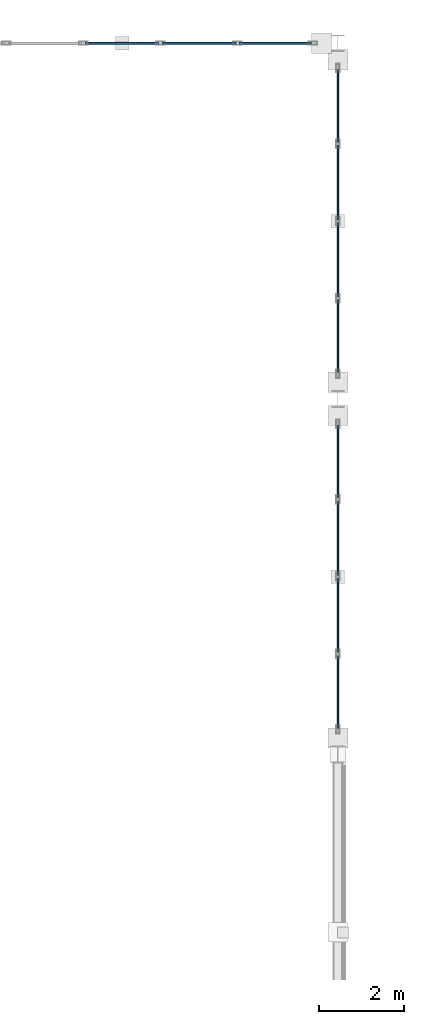
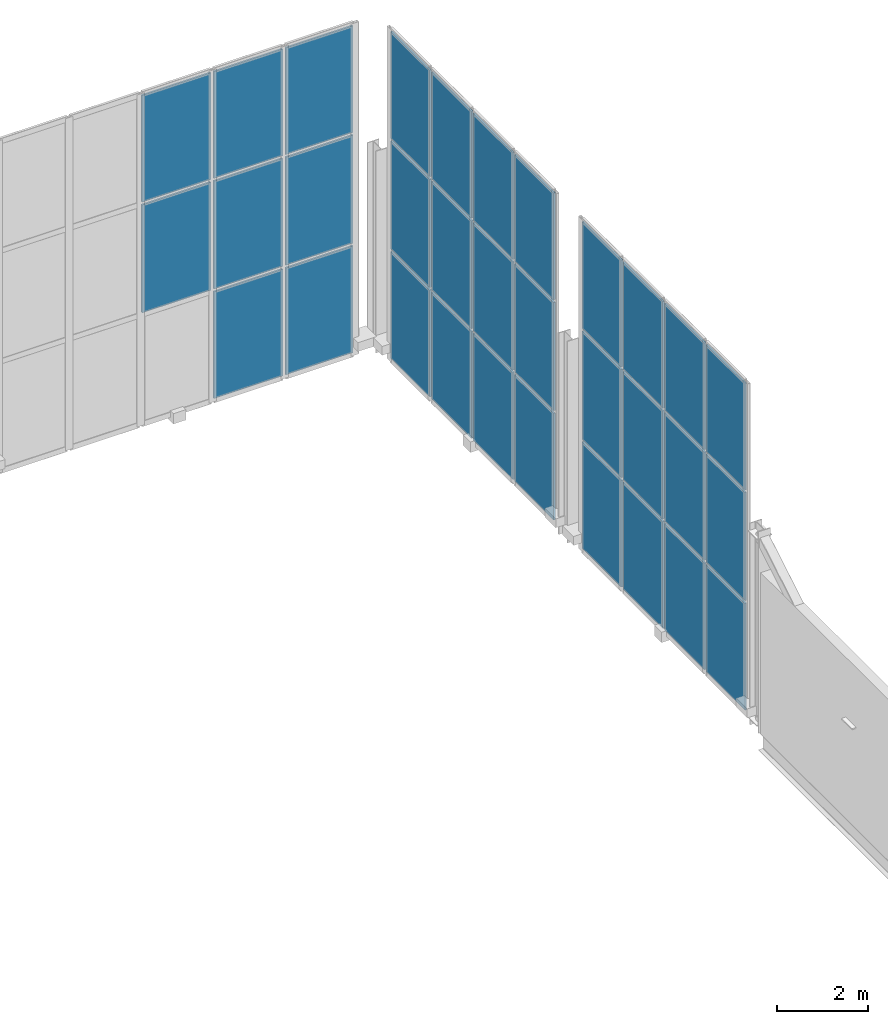
# One storey, part 123 of 175: 32 plates, 3 elements without a shape of their own.
"""IFC4 building model written with IfcOpenShell, lengths in metres."""

from ifc_helpers import new_model, si_unit, direction, frame, origin, origin_2d, place, context, subcontext, project, spatial, rectangle, extrude, material, layer, layer_set, type_object, element, aggregate, save


model = new_model("IFC4")

# Units and contexts
model_context = context("Model", 3, precision=1e-05, world=origin(), true_north=direction((0.0, 1.0)))
body_context = subcontext(model_context, "Body", "Model", "MODEL_VIEW")
ifc_project = project(units=[si_unit("LENGTHUNIT", "METRE"), si_unit("AREAUNIT", "SQUARE_METRE"), si_unit("VOLUMEUNIT", "CUBIC_METRE"), si_unit("PLANEANGLEUNIT", "RADIAN"), si_unit("MASSUNIT", "GRAM", prefix="KILO")], contexts=[model_context])

# Site, building, storey
site_placement = place(None, origin())
site = spatial("IfcSite", under=ifc_project, at=site_placement, CompositionType="ELEMENT")
building_placement = place(site_placement, origin())
building = spatial("IfcBuilding", under=site, at=building_placement, Name="Brelvane Convention Centre", CompositionType="ELEMENT")
storey_placement = place(building_placement, frame((0.0, 0.0, 5.39990234375)))
storey = spatial("IfcBuildingStorey", under=building, at=storey_placement, Name="L01", CompositionType="ELEMENT", Elevation=5.39990234375)

# Curtain wall, plates
ifc_material_1 = material(Name="Anodised Aluminium Alloy 6063-T6", Category="aluminium")
curtain_wall_type = type_object("IfcCurtainWallType", Name="Curtain Wall CW-BALL", PredefinedType="USERDEFINED", material=ifc_material_1)
curtain_wall_1_placement = place(storey_placement, origin())
curtain_wall_1 = element("IfcCurtainWall", 1, at=curtain_wall_1_placement, inside=storey, type_object=curtain_wall_type, Name="Curtain Wall CW-BALL L01-V3N-CW-L01-5", ObjectType="UNITISED", PredefinedType="USERDEFINED")
ifc_material_2 = material(Name="Double Glazed Low-E Laminated Unit")
ifc_layer = layer(ifc_material_2, 0.0439453125)
ifc_layer_set = layer_set([ifc_layer], Name="Double Glazed Low-E Laminated Unit")
plate_type = type_object("IfcPlateType", Name="Curtain Panel CW-PG3", PredefinedType="CURTAIN_PANEL", material=ifc_layer_set)
plate_1_placement = place(storey_placement, frame((219.300048828125, 144.0, 3.001953125), z_axis=(0.0, 0.0, 1.0), x_axis=(1.0, 0.0, 0.0)))
plate_1 = element("IfcPlate", 2, at=plate_1_placement, type_object=plate_type, Name="CW-BALL panel 3.2", PredefinedType="CURTAIN_PANEL", context=body_context, shape_type="SweptSolid", body=[
    extrude(rectangle(XDim=1.7451171875, YDim=0.0439453125, at=origin_2d()), origin(), (0.0, 0.0, 1.0), 2.896484375),
])
plate_2_placement = place(storey_placement, frame((219.300048828125, 144.0, 5.96826171875), z_axis=(0.0, 0.0, 1.0), x_axis=(1.0, 0.0, 0.0)))
plate_2 = element("IfcPlate", 3, at=plate_2_placement, type_object=plate_type, Name="CW-BALL panel 3.3", PredefinedType="CURTAIN_PANEL", context=body_context, shape_type="SweptSolid", body=[
    extrude(rectangle(XDim=1.7451171875, YDim=0.0439453125, at=origin_2d()), origin(), (0.0, 0.0, 1.0), 2.86181640625),
])
plate_3_placement = place(storey_placement, frame((221.1201171875, 144.0, 0.070068359375), z_axis=(0.0, 0.0, 1.0), x_axis=(1.0, 0.0, 0.0)))
plate_3 = element("IfcPlate", 4, at=plate_3_placement, type_object=plate_type, Name="CW-BALL panel 4.1", PredefinedType="CURTAIN_PANEL", context=body_context, shape_type="SweptSolid", body=[
    extrude(rectangle(XDim=1.7451171875, YDim=0.0439453125, at=origin_2d()), origin(), (0.0, 0.0, 1.0), 2.86181640625),
])
plate_4_placement = place(storey_placement, frame((221.1201171875, 144.0, 3.001953125), z_axis=(0.0, 0.0, 1.0), x_axis=(1.0, 0.0, 0.0)))
plate_4 = element("IfcPlate", 5, at=plate_4_placement, type_object=plate_type, Name="CW-BALL panel 4.2", PredefinedType="CURTAIN_PANEL", context=body_context, shape_type="SweptSolid", body=[
    extrude(rectangle(XDim=1.7451171875, YDim=0.0439453125, at=origin_2d()), origin(), (0.0, 0.0, 1.0), 2.896484375),
])
plate_5_placement = place(storey_placement, frame((221.1201171875, 144.0, 5.96826171875), z_axis=(0.0, 0.0, 1.0), x_axis=(1.0, 0.0, 0.0)))
plate_5 = element("IfcPlate", 6, at=plate_5_placement, type_object=plate_type, Name="CW-BALL panel 4.3", PredefinedType="CURTAIN_PANEL", context=body_context, shape_type="SweptSolid", body=[
    extrude(rectangle(XDim=1.7451171875, YDim=0.0439453125, at=origin_2d()), origin(), (0.0, 0.0, 1.0), 2.86181640625),
])
plate_6_placement = place(storey_placement, frame((222.921142578125, 144.0, 0.070068359375), z_axis=(0.0, 0.0, 1.0), x_axis=(1.0, 0.0, 0.0)))
plate_6 = element("IfcPlate", 7, at=plate_6_placement, type_object=plate_type, Name="CW-BALL panel 5.1", PredefinedType="CURTAIN_PANEL", context=body_context, shape_type="SweptSolid", body=[
    extrude(rectangle(XDim=1.70751953125, YDim=0.0439453125, at=origin_2d()), origin(), (0.0, 0.0, 1.0), 2.86181640625),
])
plate_7_placement = place(storey_placement, frame((222.921142578125, 144.0, 3.001953125), z_axis=(0.0, 0.0, 1.0), x_axis=(1.0, 0.0, 0.0)))
plate_7 = element("IfcPlate", 8, at=plate_7_placement, type_object=plate_type, Name="CW-BALL panel 5.2", PredefinedType="CURTAIN_PANEL", context=body_context, shape_type="SweptSolid", body=[
    extrude(rectangle(XDim=1.70751953125, YDim=0.0439453125, at=origin_2d()), origin(), (0.0, 0.0, 1.0), 2.896484375),
])
plate_8_placement = place(storey_placement, frame((222.921142578125, 144.0, 5.96826171875), z_axis=(0.0, 0.0, 1.0), x_axis=(1.0, 0.0, 0.0)))
plate_8 = element("IfcPlate", 9, at=plate_8_placement, type_object=plate_type, Name="CW-BALL panel 5.3", PredefinedType="CURTAIN_PANEL", context=body_context, shape_type="SweptSolid", body=[
    extrude(rectangle(XDim=1.70751953125, YDim=0.0439453125, at=origin_2d()), origin(), (0.0, 0.0, 1.0), 2.86181640625),
])
aggregate(curtain_wall_1, [plate_1, plate_2, plate_3, plate_4, plate_5, plate_6, plate_7, plate_8])

curtain_wall_2_placement = place(storey_placement, origin())
curtain_wall_2 = element("IfcCurtainWall", 10, at=curtain_wall_2_placement, inside=storey, type_object=curtain_wall_type, Name="Curtain Wall CW-BALL L01-V3E-CW-L01-4", ObjectType="UNITISED", PredefinedType="USERDEFINED")
plate_9_placement = place(storey_placement, frame((224.39990234375, 128.68115234375, 0.070068359375), z_axis=(0.0, 0.0, 1.0), x_axis=(0.0, 1.0, 0.0)))
plate_9 = element("IfcPlate", 11, at=plate_9_placement, type_object=plate_type, Name="CW-BALL panel 1.1", PredefinedType="CURTAIN_PANEL", context=body_context, shape_type="SweptSolid", body=[
    extrude(rectangle(XDim=1.71240234375, YDim=0.0439453125, at=origin_2d()), origin(), (0.0, 0.0, 1.0), 2.86181640625),
])
plate_10_placement = place(storey_placement, frame((224.39990234375, 128.68115234375, 3.001953125), z_axis=(0.0, 0.0, 1.0), x_axis=(0.0, 1.0, 0.0)))
plate_10 = element("IfcPlate", 12, at=plate_10_placement, type_object=plate_type, Name="CW-BALL panel 1.2", PredefinedType="CURTAIN_PANEL", context=body_context, shape_type="SweptSolid", body=[
    extrude(rectangle(XDim=1.71240234375, YDim=0.0439453125, at=origin_2d()), origin(), (0.0, 0.0, 1.0), 2.896484375),
])
plate_11_placement = place(storey_placement, frame((224.39990234375, 128.68115234375, 5.96826171875), z_axis=(0.0, 0.0, 1.0), x_axis=(0.0, 1.0, 0.0)))
plate_11 = element("IfcPlate", 13, at=plate_11_placement, type_object=plate_type, Name="CW-BALL panel 1.3", PredefinedType="CURTAIN_PANEL", context=body_context, shape_type="SweptSolid", body=[
    extrude(rectangle(XDim=1.71240234375, YDim=0.0439453125, at=origin_2d()), origin(), (0.0, 0.0, 1.0), 2.86181640625),
])
plate_12_placement = place(storey_placement, frame((224.39990234375, 130.487548828125, 0.070068359375), z_axis=(0.0, 0.0, 1.0), x_axis=(0.0, 1.0, 0.0)))
plate_12 = element("IfcPlate", 14, at=plate_12_placement, type_object=plate_type, Name="CW-BALL panel 2.1", PredefinedType="CURTAIN_PANEL", context=body_context, shape_type="SweptSolid", body=[
    extrude(rectangle(XDim=1.75, YDim=0.0439453125, at=origin_2d()), origin(), (0.0, 0.0, 1.0), 2.86181640625),
])
plate_13_placement = place(storey_placement, frame((224.39990234375, 130.487548828125, 3.001953125), z_axis=(0.0, 0.0, 1.0), x_axis=(0.0, 1.0, 0.0)))
plate_13 = element("IfcPlate", 15, at=plate_13_placement, type_object=plate_type, Name="CW-BALL panel 2.2", PredefinedType="CURTAIN_PANEL", context=body_context, shape_type="SweptSolid", body=[
    extrude(rectangle(XDim=1.75, YDim=0.0439453125, at=origin_2d()), origin(), (0.0, 0.0, 1.0), 2.896484375),
])
plate_14_placement = place(storey_placement, frame((224.39990234375, 130.487548828125, 5.96826171875), z_axis=(0.0, 0.0, 1.0), x_axis=(0.0, 1.0, 0.0)))
plate_14 = element("IfcPlate", 16, at=plate_14_placement, type_object=plate_type, Name="CW-BALL panel 2.3", PredefinedType="CURTAIN_PANEL", context=body_context, shape_type="SweptSolid", body=[
    extrude(rectangle(XDim=1.75, YDim=0.0439453125, at=origin_2d()), origin(), (0.0, 0.0, 1.0), 2.86181640625),
])
plate_15_placement = place(storey_placement, frame((224.39990234375, 132.3125, 0.070068359375), z_axis=(0.0, 0.0, 1.0), x_axis=(0.0, 1.0, 0.0)))
plate_15 = element("IfcPlate", 17, at=plate_15_placement, type_object=plate_type, Name="CW-BALL panel 3.1", PredefinedType="CURTAIN_PANEL", context=body_context, shape_type="SweptSolid", body=[
    extrude(rectangle(XDim=1.75, YDim=0.0439453125, at=origin_2d()), origin(), (0.0, 0.0, 1.0), 2.86181640625),
])
plate_16_placement = place(storey_placement, frame((224.39990234375, 132.3125, 3.001953125), z_axis=(0.0, 0.0, 1.0), x_axis=(0.0, 1.0, 0.0)))
plate_16 = element("IfcPlate", 18, at=plate_16_placement, type_object=plate_type, Name="CW-BALL panel 3.2", PredefinedType="CURTAIN_PANEL", context=body_context, shape_type="SweptSolid", body=[
    extrude(rectangle(XDim=1.75, YDim=0.0439453125, at=origin_2d()), origin(), (0.0, 0.0, 1.0), 2.896484375),
])
plate_17_placement = place(storey_placement, frame((224.39990234375, 132.3125, 5.96826171875), z_axis=(0.0, 0.0, 1.0), x_axis=(0.0, 1.0, 0.0)))
plate_17 = element("IfcPlate", 19, at=plate_17_placement, type_object=plate_type, Name="CW-BALL panel 3.3", PredefinedType="CURTAIN_PANEL", context=body_context, shape_type="SweptSolid", body=[
    extrude(rectangle(XDim=1.75, YDim=0.0439453125, at=origin_2d()), origin(), (0.0, 0.0, 1.0), 2.86181640625),
])
plate_18_placement = place(storey_placement, frame((224.39990234375, 134.11865234375, 0.070068359375), z_axis=(0.0, 0.0, 1.0), x_axis=(0.0, 1.0, 0.0)))
plate_18 = element("IfcPlate", 20, at=plate_18_placement, type_object=plate_type, Name="CW-BALL panel 4.1", PredefinedType="CURTAIN_PANEL", context=body_context, shape_type="SweptSolid", body=[
    extrude(rectangle(XDim=1.71240234375, YDim=0.0439453125, at=origin_2d()), origin(), (0.0, 0.0, 1.0), 2.86181640625),
])
plate_19_placement = place(storey_placement, frame((224.39990234375, 134.11865234375, 3.001953125), z_axis=(0.0, 0.0, 1.0), x_axis=(0.0, 1.0, 0.0)))
plate_19 = element("IfcPlate", 21, at=plate_19_placement, type_object=plate_type, Name="CW-BALL panel 4.2", PredefinedType="CURTAIN_PANEL", context=body_context, shape_type="SweptSolid", body=[
    extrude(rectangle(XDim=1.71240234375, YDim=0.0439453125, at=origin_2d()), origin(), (0.0, 0.0, 1.0), 2.896484375),
])
plate_20_placement = place(storey_placement, frame((224.39990234375, 134.11865234375, 5.96826171875), z_axis=(0.0, 0.0, 1.0), x_axis=(0.0, 1.0, 0.0)))
plate_20 = element("IfcPlate", 22, at=plate_20_placement, type_object=plate_type, Name="CW-BALL panel 4.3", PredefinedType="CURTAIN_PANEL", context=body_context, shape_type="SweptSolid", body=[
    extrude(rectangle(XDim=1.71240234375, YDim=0.0439453125, at=origin_2d()), origin(), (0.0, 0.0, 1.0), 2.86181640625),
])
aggregate(curtain_wall_2, [plate_9, plate_10, plate_11, plate_12, plate_13, plate_14, plate_15, plate_16, plate_17, plate_18, plate_19, plate_20])

curtain_wall_3_placement = place(storey_placement, origin())
curtain_wall_3 = element("IfcCurtainWall", 23, at=curtain_wall_3_placement, inside=storey, type_object=curtain_wall_type, Name="Curtain Wall CW-BALL L01-V3E-CW-L01-5", ObjectType="UNITISED", PredefinedType="USERDEFINED")
plate_21_placement = place(storey_placement, frame((224.39990234375, 137.081298828125, 0.070068359375), z_axis=(0.0, 0.0, 1.0), x_axis=(0.0, 1.0, 0.0)))
plate_21 = element("IfcPlate", 24, at=plate_21_placement, type_object=plate_type, Name="CW-BALL panel 1.1", PredefinedType="CURTAIN_PANEL", context=body_context, shape_type="SweptSolid", body=[
    extrude(rectangle(XDim=1.71240234375, YDim=0.0439453125, at=origin_2d()), origin(), (0.0, 0.0, 1.0), 2.86181640625),
])
plate_22_placement = place(storey_placement, frame((224.39990234375, 137.081298828125, 3.001953125), z_axis=(0.0, 0.0, 1.0), x_axis=(0.0, 1.0, 0.0)))
plate_22 = element("IfcPlate", 25, at=plate_22_placement, type_object=plate_type, Name="CW-BALL panel 1.2", PredefinedType="CURTAIN_PANEL", context=body_context, shape_type="SweptSolid", body=[
    extrude(rectangle(XDim=1.71240234375, YDim=0.0439453125, at=origin_2d()), origin(), (0.0, 0.0, 1.0), 2.896484375),
])
plate_23_placement = place(storey_placement, frame((224.39990234375, 137.081298828125, 5.96826171875), z_axis=(0.0, 0.0, 1.0), x_axis=(0.0, 1.0, 0.0)))
plate_23 = element("IfcPlate", 26, at=plate_23_placement, type_object=plate_type, Name="CW-BALL panel 1.3", PredefinedType="CURTAIN_PANEL", context=body_context, shape_type="SweptSolid", body=[
    extrude(rectangle(XDim=1.71240234375, YDim=0.0439453125, at=origin_2d()), origin(), (0.0, 0.0, 1.0), 2.86181640625),
])
plate_24_placement = place(storey_placement, frame((224.39990234375, 138.887451171875, 0.070068359375), z_axis=(0.0, 0.0, 1.0), x_axis=(0.0, 1.0, 0.0)))
plate_24 = element("IfcPlate", 27, at=plate_24_placement, type_object=plate_type, Name="CW-BALL panel 2.1", PredefinedType="CURTAIN_PANEL", context=body_context, shape_type="SweptSolid", body=[
    extrude(rectangle(XDim=1.75, YDim=0.0439453125, at=origin_2d()), origin(), (0.0, 0.0, 1.0), 2.86181640625),
])
plate_25_placement = place(storey_placement, frame((224.39990234375, 138.887451171875, 3.001953125), z_axis=(0.0, 0.0, 1.0), x_axis=(0.0, 1.0, 0.0)))
plate_25 = element("IfcPlate", 28, at=plate_25_placement, type_object=plate_type, Name="CW-BALL panel 2.2", PredefinedType="CURTAIN_PANEL", context=body_context, shape_type="SweptSolid", body=[
    extrude(rectangle(XDim=1.75, YDim=0.0439453125, at=origin_2d()), origin(), (0.0, 0.0, 1.0), 2.896484375),
])
plate_26_placement = place(storey_placement, frame((224.39990234375, 138.887451171875, 5.96826171875), z_axis=(0.0, 0.0, 1.0), x_axis=(0.0, 1.0, 0.0)))
plate_26 = element("IfcPlate", 29, at=plate_26_placement, type_object=plate_type, Name="CW-BALL panel 2.3", PredefinedType="CURTAIN_PANEL", context=body_context, shape_type="SweptSolid", body=[
    extrude(rectangle(XDim=1.75, YDim=0.0439453125, at=origin_2d()), origin(), (0.0, 0.0, 1.0), 2.86181640625),
])
plate_27_placement = place(storey_placement, frame((224.39990234375, 140.71240234375, 0.070068359375), z_axis=(0.0, 0.0, 1.0), x_axis=(0.0, 1.0, 0.0)))
plate_27 = element("IfcPlate", 30, at=plate_27_placement, type_object=plate_type, Name="CW-BALL panel 3.1", PredefinedType="CURTAIN_PANEL", context=body_context, shape_type="SweptSolid", body=[
    extrude(rectangle(XDim=1.75, YDim=0.0439453125, at=origin_2d()), origin(), (0.0, 0.0, 1.0), 2.86181640625),
])
plate_28_placement = place(storey_placement, frame((224.39990234375, 140.71240234375, 3.001953125), z_axis=(0.0, 0.0, 1.0), x_axis=(0.0, 1.0, 0.0)))
plate_28 = element("IfcPlate", 31, at=plate_28_placement, type_object=plate_type, Name="CW-BALL panel 3.2", PredefinedType="CURTAIN_PANEL", context=body_context, shape_type="SweptSolid", body=[
    extrude(rectangle(XDim=1.75, YDim=0.0439453125, at=origin_2d()), origin(), (0.0, 0.0, 1.0), 2.896484375),
])
plate_29_placement = place(storey_placement, frame((224.39990234375, 140.71240234375, 5.96826171875), z_axis=(0.0, 0.0, 1.0), x_axis=(0.0, 1.0, 0.0)))
plate_29 = element("IfcPlate", 32, at=plate_29_placement, type_object=plate_type, Name="CW-BALL panel 3.3", PredefinedType="CURTAIN_PANEL", context=body_context, shape_type="SweptSolid", body=[
    extrude(rectangle(XDim=1.75, YDim=0.0439453125, at=origin_2d()), origin(), (0.0, 0.0, 1.0), 2.86181640625),
])
plate_30_placement = place(storey_placement, frame((224.39990234375, 142.518798828125, 0.070068359375), z_axis=(0.0, 0.0, 1.0), x_axis=(0.0, 1.0, 0.0)))
plate_30 = element("IfcPlate", 33, at=plate_30_placement, type_object=plate_type, Name="CW-BALL panel 4.1", PredefinedType="CURTAIN_PANEL", context=body_context, shape_type="SweptSolid", body=[
    extrude(rectangle(XDim=1.71240234375, YDim=0.0439453125, at=origin_2d()), origin(), (0.0, 0.0, 1.0), 2.86181640625),
])
plate_31_placement = place(storey_placement, frame((224.39990234375, 142.518798828125, 3.001953125), z_axis=(0.0, 0.0, 1.0), x_axis=(0.0, 1.0, 0.0)))
plate_31 = element("IfcPlate", 34, at=plate_31_placement, type_object=plate_type, Name="CW-BALL panel 4.2", PredefinedType="CURTAIN_PANEL", context=body_context, shape_type="SweptSolid", body=[
    extrude(rectangle(XDim=1.71240234375, YDim=0.0439453125, at=origin_2d()), origin(), (0.0, 0.0, 1.0), 2.896484375),
])
plate_32_placement = place(storey_placement, frame((224.39990234375, 142.518798828125, 5.96826171875), z_axis=(0.0, 0.0, 1.0), x_axis=(0.0, 1.0, 0.0)))
plate_32 = element("IfcPlate", 35, at=plate_32_placement, type_object=plate_type, Name="CW-BALL panel 4.3", PredefinedType="CURTAIN_PANEL", context=body_context, shape_type="SweptSolid", body=[
    extrude(rectangle(XDim=1.71240234375, YDim=0.0439453125, at=origin_2d()), origin(), (0.0, 0.0, 1.0), 2.86181640625),
])
aggregate(curtain_wall_3, [plate_21, plate_22, plate_23, plate_24, plate_25, plate_26, plate_27, plate_28, plate_29, plate_30, plate_31, plate_32])

save(model, "model.ifc")
